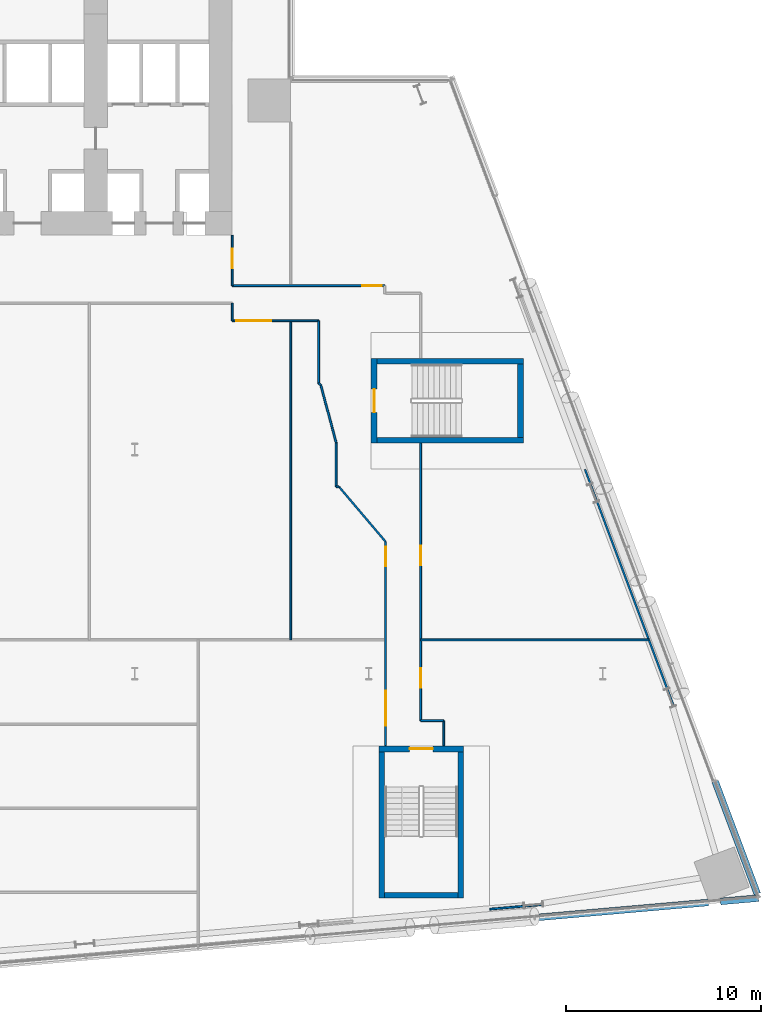
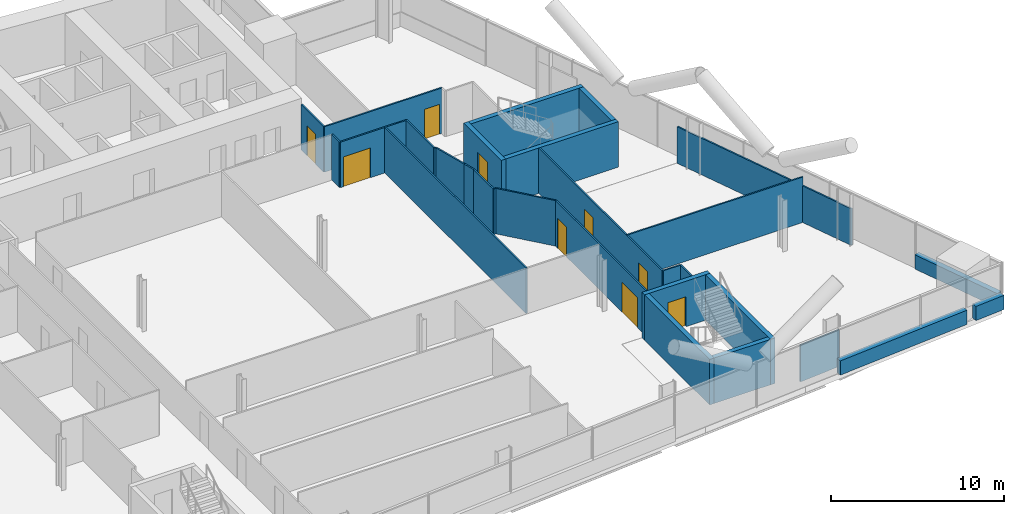
# One storey, part 18 of 27: 30 walls, 9 doors, 9 openings.
"""IFC4 building model written with IfcOpenShell, lengths in metres."""

import ifcopenshell
import ifcopenshell.guid

model = None  # the IFC model being written
_history = None  # IfcOwnerHistory: only IFC2X3 demands one
_inside = {}  # id of a spatial element -> (the spatial element, [elements in it])
_under = {}  # id of a project, library or spatial element -> (it, [spatial elements below it])
_declared = {}  # id of a project -> (the project, [libraries it declares])
_typed = {}  # id of a type object -> (the type object, [elements of that type])
_made_of = {}  # id of a material, layer set ... -> (it, [elements and type objects made of it])


def new_model(schema):
    """Start an empty IFC model of exactly this schema.

    Asked for "IFC4X3", IfcOpenShell would pick the latest addendum, in which some entities
    have other attributes; the version numbers below select the first issue.
    IFC2X3 requires an IfcOwnerHistory on every rooted entity: one is made here for all.
    """
    global model, _history
    if schema == "IFC4X3":
        model = ifcopenshell.file(schema_version=(4, 3, 0, 0))
    else:
        model = ifcopenshell.file(schema=schema)
    _inside.clear()
    _under.clear()
    _declared.clear()
    _typed.clear()
    _made_of.clear()
    _history = None
    if model.schema == "IFC2X3":
        org = make("IfcOrganization", Name="unknown")
        user = make(
            "IfcPersonAndOrganization",
            ThePerson=make("IfcPerson", FamilyName="unknown"),
            TheOrganization=org,
        )
        app = make(
            "IfcApplication",
            ApplicationDeveloper=org,
            Version="unknown",
            ApplicationFullName="unknown",
            ApplicationIdentifier="unknown",
        )
        _history = make(
            "IfcOwnerHistory",
            OwningUser=user,
            OwningApplication=app,
            ChangeAction="ADDED",
            CreationDate=0,
        )
    return model


def make(cls, **values):
    """One entity of the class cls with the attributes given. An attribute that is None is left unset."""
    return model.create_entity(
        cls, **{name: value for name, value in values.items() if value is not None}
    )


def rooted(cls, **values):
    """An entity with a GlobalId (a new one), such as an element, a storey or a relation."""
    return make(cls, GlobalId=ifcopenshell.guid.new(), OwnerHistory=_history, **values)


def si_unit(unit_type, name, prefix=None):
    """IfcSIUnit, for example si_unit("LENGTHUNIT", "METRE", prefix="MILLI")."""
    return make("IfcSIUnit", UnitType=unit_type, Prefix=prefix, Name=name)


def assignment(units):
    """IfcUnitAssignment: the units of a project."""
    return None if units is None else make("IfcUnitAssignment", Units=units)


def point(xyz):
    """IfcCartesianPoint."""
    return None if xyz is None else make("IfcCartesianPoint", Coordinates=xyz)


def direction(xyz):
    """IfcDirection."""
    return None if xyz is None else make("IfcDirection", DirectionRatios=xyz)


def frame(location, z_axis=None, x_axis=None):
    """IfcAxis2Placement3D, a coordinate frame: its origin and axes. An axis left out is left unset."""
    return make(
        "IfcAxis2Placement3D",
        Location=point(location),
        Axis=direction(z_axis),
        RefDirection=direction(x_axis),
    )


def frame_2d(location, x_axis=None):
    """IfcAxis2Placement2D, a coordinate frame in the plane: its origin and x axis."""
    return make(
        "IfcAxis2Placement2D", Location=point(location), RefDirection=direction(x_axis)
    )


def origin():
    """The frame at (0, 0, 0) with its axes left unset."""
    return frame((0.0, 0.0, 0.0))


def place(relative_to, where):
    """IfcLocalPlacement: puts the frame where relative to a parent placement (None: the world)."""
    return make(
        "IfcLocalPlacement", PlacementRelTo=relative_to, RelativePlacement=where
    )


def context(
    kind, dimensions, precision=None, world=None, true_north=None, identifier=None
):
    """IfcGeometricRepresentationContext, for example the 3D "Model" context."""
    return make(
        "IfcGeometricRepresentationContext",
        ContextIdentifier=identifier,
        ContextType=kind,
        CoordinateSpaceDimension=dimensions,
        Precision=precision,
        WorldCoordinateSystem=world,
        TrueNorth=true_north,
    )


def subcontext(parent, identifier, kind, view, scale=None):
    """IfcGeometricRepresentationSubContext, for example "Body" below "Model"."""
    return make(
        "IfcGeometricRepresentationSubContext",
        ContextIdentifier=identifier,
        ContextType=kind,
        ParentContext=parent,
        TargetScale=scale,
        TargetView=view,
    )


def project(units=None, contexts=None):
    """IfcProject with its units and contexts."""
    return rooted(
        "IfcProject",
        Name="project",
        RepresentationContexts=contexts,
        UnitsInContext=assignment(units),
    )


def spatial(cls, under=None, at=None, **own):
    """A site, building, storey or space (cls), placed at a placement, below another one or the project."""
    s = rooted(cls, ObjectPlacement=at, **own)
    if under is not None:
        _under.setdefault(under.id(), (under, []))[1].append(s)
    return s


def profile(cls, at=None, kind="AREA", **sizes):
    """A parametric profile (cls). Its sizes go by their IFC names, for example OverallWidth=200.0."""
    return make(cls, ProfileType=kind, Position=at, **sizes)


def rectangle(**sizes):
    """IfcRectangleProfileDef."""
    return profile("IfcRectangleProfileDef", **sizes)


def extrude(swept, where, along, depth):
    """IfcExtrudedAreaSolid: the profile swept, set in the frame where, extruded along a direction by depth."""
    return make(
        "IfcExtrudedAreaSolid",
        SweptArea=swept,
        Position=where,
        ExtrudedDirection=direction(along),
        Depth=depth,
    )


def shape(context_of_items, identifier, shape_type, items):
    """IfcShapeRepresentation: the items that make up one representation, for example the "Body"."""
    return make(
        "IfcShapeRepresentation",
        ContextOfItems=context_of_items,
        RepresentationIdentifier=identifier,
        RepresentationType=shape_type,
        Items=items,
    )


def material(Name=None, Category=None):
    """IfcMaterial."""
    return make("IfcMaterial", Name=Name, Category=Category)


def layer(
    of_material, thickness, ventilated=None, Name=None, Category=None, Priority=None
):
    """IfcMaterialLayer: one layer of a wall or slab, of a material (None: an air gap)."""
    return make(
        "IfcMaterialLayer",
        Material=of_material,
        LayerThickness=thickness,
        IsVentilated=ventilated,
        Name=Name,
        Category=Category,
        Priority=Priority,
    )


def layer_set(layers, Name=None):
    """IfcMaterialLayerSet."""
    return make("IfcMaterialLayerSet", MaterialLayers=layers, LayerSetName=Name)


def made_of(thing, what):
    """Note that an element or type object is made of a material, layer set ...; save() writes the relation."""
    if what is not None:
        _made_of.setdefault(what.id(), (what, []))[1].append(thing)
    return thing


def type_object(cls, material=None, **own):
    """A type object (cls), such as IfcWallType, which elements share."""
    return made_of(rooted(cls, **own), material)


def element(
    cls,
    number,
    at=None,
    inside=None,
    cuts=None,
    type_object=None,
    material=None,
    context=None,
    identifier="Body",
    shape_type=None,
    held_by="IfcProductDefinitionShape",
    body=None,
    shapes=None,
    **own,
):
    """One element of the class cls, such as IfcWall. Its Tag is "e" and its number.

    at: its placement. inside: the storey or other place that contains it. cuts: it is an
    opening in that element (IfcRelVoidsElement). A single representation is given by context,
    identifier, shape_type and body (its items); several are given by shapes. held_by: the class
    of the entity that holds the representations. save() writes the other relations.
    """
    e = rooted(cls, Tag="e%d" % number, ObjectPlacement=at, **own)
    if body is not None:
        shapes = [shape(context, identifier, shape_type, body)]
    if shapes is not None:
        e.Representation = make(held_by, Representations=shapes)
    if inside is not None:
        _inside.setdefault(inside.id(), (inside, []))[1].append(e)
    if cuts is not None:
        rooted(
            "IfcRelVoidsElement", RelatingBuildingElement=cuts, RelatedOpeningElement=e
        )
    if type_object is not None:
        _typed.setdefault(type_object.id(), (type_object, []))[1].append(e)
    return made_of(e, material)


def fill(opening, filler):
    """IfcRelFillsElement: the door or window that sits in an opening."""
    return rooted(
        "IfcRelFillsElement",
        RelatingOpeningElement=opening,
        RelatedBuildingElement=filler,
    )


def aggregate(whole, parts):
    """IfcRelAggregates: a whole, such as a stair, and the parts it consists of."""
    return rooted("IfcRelAggregates", RelatingObject=whole, RelatedObjects=parts)


def save(model, path):
    """Write the relations noted so far, then the file.

    IfcRelAggregates (storeys below a building ...), IfcRelContainedInSpatialStructure (elements
    in a storey), IfcRelDefinesByType, IfcRelAssociatesMaterial and IfcRelDeclares: one each for
    every whole, place, type object, material and project.
    """
    for whole, parts in _under.values():
        aggregate(whole, parts)
    for where, things in _inside.values():
        rooted(
            "IfcRelContainedInSpatialStructure",
            RelatedElements=things,
            RelatingStructure=where,
        )
    for kind, things in _typed.values():
        rooted("IfcRelDefinesByType", RelatedObjects=things, RelatingType=kind)
    for what, things in _made_of.values():
        rooted("IfcRelAssociatesMaterial", RelatedObjects=things, RelatingMaterial=what)
    for by, libraries in _declared.values():
        rooted("IfcRelDeclares", RelatingContext=by, RelatedDefinitions=libraries)
    model.write(path)


model = new_model("IFC4")

# Units and contexts
model_context = context("Model", 3, precision=1e-05, world=origin(), true_north=direction((0.0, 1.0)))
body_context = subcontext(model_context, "Body", "Model", "MODEL_VIEW")
ifc_project = project(units=[si_unit("LENGTHUNIT", "METRE"), si_unit("AREAUNIT", "SQUARE_METRE"), si_unit("VOLUMEUNIT", "CUBIC_METRE"), si_unit("PLANEANGLEUNIT", "RADIAN"), si_unit("MASSUNIT", "GRAM", prefix="KILO")], contexts=[model_context])

# Site, building, storey
site_placement = place(None, origin())
site = spatial("IfcSite", under=ifc_project, at=site_placement, CompositionType="ELEMENT")
building_placement = place(site_placement, origin())
building = spatial("IfcBuilding", under=site, at=building_placement, Name="Wharfspan Tower", CompositionType="ELEMENT")
storey_placement = place(building_placement, frame((0.0, 0.0, 77.5)))
storey = spatial("IfcBuildingStorey", under=building, at=storey_placement, Name="L16", CompositionType="ELEMENT", Elevation=77.5)

# Wall
ifc_material_1 = material(Name="Gypsum board on steel studs", Category="steel")
ifc_layer_1 = layer(ifc_material_1, 0.100098)
ifc_layer_set_1 = layer_set([ifc_layer_1], Name="Gypsum board on steel studs")
wall_type_1 = type_object("IfcWallType", Name="Compartment wall 100 EI 60", PredefinedType="PARTITIONING", material=ifc_layer_set_1)
wall_1_placement = place(storey_placement, frame((65.0, 29.600098, 0.0), z_axis=(0.0, 0.0, 1.0), x_axis=(0.0, 1.0, 0.0)))
element("IfcWall", 1, at=wall_1_placement, inside=storey, type_object=wall_type_1, Name="Partition L16.w048", PredefinedType="PARTITIONING", context=body_context, shape_type="SweptSolid", body=[
    extrude(rectangle(XDim=0.899902, YDim=0.100098, at=frame_2d((0.449951, 0.0))), origin(), (0.0, 0.0, 1.0), 3.199951),
])

# Wall, opening, door
wall_2_placement = place(storey_placement, frame((65.0, 29.600098, 0.0), z_axis=(0.0, 0.0, 1.0), x_axis=(1.0, 0.0, 0.0)))
wall_2 = element("IfcWall", 2, at=wall_2_placement, inside=storey, type_object=wall_type_1, Name="Partition L16.w049", PredefinedType="PARTITIONING", context=body_context, shape_type="SweptSolid", body=[
    extrude(rectangle(XDim=4.425049, YDim=0.100098, at=frame_2d((2.212402, 0.0))), origin(), (0.0, 0.0, 1.0), 3.199951),
])
opening_1_placement = place(wall_2_placement, frame((0.199951, 0.0, 0.0)))
opening_1 = element("IfcOpeningElement", 3, at=opening_1_placement, cuts=wall_2, Name="Opening A4-29", PredefinedType="OPENING", context=body_context, shape_type="SweptSolid", body=[
    extrude(rectangle(XDim=1.800049, YDim=2.100098, at=frame_2d((0.899902, 1.050049))), frame((0.0, 0.060059, 0.0), z_axis=(0.0, -1.0, 0.0), x_axis=(1.0, 0.0, 0.0)), (0.0, 0.0, 1.0), 0.120117),
])
ifc_material_2 = material(Name="Fire-rated timber door leaf in steel frame", Category="steel")
door_type_1 = type_object("IfcDoorType", Name="Door 1800 FD30S Double", OperationType="DOUBLE_DOOR_SINGLE_SWING", PredefinedType="DOOR", material=ifc_material_2)
door_1_placement = place(opening_1_placement, origin())
door_1 = element("IfcDoor", 4, at=door_1_placement, inside=storey, type_object=door_type_1, Name="Door A4-29", OperationType="DOUBLE_DOOR_SINGLE_SWING", OverallHeight=2.100098, OverallWidth=1.800049, PredefinedType="DOOR", context=body_context, shape_type="SweptSolid", body=[
    extrude(rectangle(XDim=1.800049, YDim=2.100098, at=frame_2d((0.899902, 1.050049))), frame((0.0, 0.024902, 0.0), z_axis=(0.0, -1.0, 0.0), x_axis=(1.0, 0.0, 0.0)), (0.0, 0.0, 1.0), 0.050049),
])
fill(opening_1, door_1)

wall_3_placement = place(storey_placement, frame((65.0, 31.399902, 0.0), z_axis=(0.0, 0.0, 1.0), x_axis=(0.0, 1.0, 0.0)))
wall_3 = element("IfcWall", 5, at=wall_3_placement, inside=storey, type_object=wall_type_1, Name="Partition L16.w050", PredefinedType="PARTITIONING", context=body_context, shape_type="SweptSolid", body=[
    extrude(rectangle(XDim=2.580078, YDim=0.100098, at=frame_2d((1.290039, 0.0))), origin(), (0.0, 0.0, 1.0), 3.199951),
])
opening_2_placement = place(wall_3_placement, frame((0.899902, 0.0, 0.0)))
opening_2 = element("IfcOpeningElement", 6, at=opening_2_placement, cuts=wall_3, Name="Opening A4-34", PredefinedType="OPENING", context=body_context, shape_type="SweptSolid", body=[
    extrude(rectangle(XDim=1.0, YDim=2.100098, at=frame_2d((0.5, 1.050049))), frame((0.0, 0.060059, 0.0), z_axis=(0.0, -1.0, 0.0), x_axis=(1.0, 0.0, 0.0)), (0.0, 0.0, 1.0), 0.120117),
])
door_type_2 = type_object("IfcDoorType", Name="Door 1000 FD30S Right", OperationType="SINGLE_SWING_RIGHT", PredefinedType="DOOR", material=ifc_material_2)
door_2_placement = place(opening_2_placement, origin())
door_2 = element("IfcDoor", 7, at=door_2_placement, inside=storey, type_object=door_type_2, Name="Door A4-34", OperationType="SINGLE_SWING_RIGHT", OverallHeight=2.100098, OverallWidth=1.0, PredefinedType="DOOR", context=body_context, shape_type="SweptSolid", body=[
    extrude(rectangle(XDim=1.0, YDim=2.100098, at=frame_2d((0.5, 1.050049))), frame((0.0, 0.024902, 0.0), z_axis=(0.0, -1.0, 0.0), x_axis=(1.0, 0.0, 0.0)), (0.0, 0.0, 1.0), 0.050049),
])
fill(opening_2, door_2)

wall_4_placement = place(storey_placement, frame((65.0, 31.399902, 0.0), z_axis=(0.0, 0.0, 1.0), x_axis=(1.0, 0.0, 0.0)))
wall_4 = element("IfcWall", 8, at=wall_4_placement, inside=storey, type_object=wall_type_1, Name="Partition L16.w051", PredefinedType="PARTITIONING", context=body_context, shape_type="SweptSolid", body=[
    extrude(rectangle(XDim=7.810059, YDim=0.100098, at=frame_2d((3.905029, 0.0))), origin(), (0.0, 0.0, 1.0), 3.199951),
])
opening_3_placement = place(wall_4_placement, frame((6.657227, 0.0, 0.0)))
opening_3 = element("IfcOpeningElement", 9, at=opening_3_placement, cuts=wall_4, Name="Opening A4-33", PredefinedType="OPENING", context=body_context, shape_type="SweptSolid", body=[
    extrude(rectangle(XDim=1.0, YDim=2.100098, at=frame_2d((0.5, 1.050049))), frame((0.0, 0.060059, 0.0), z_axis=(0.0, -1.0, 0.0), x_axis=(1.0, 0.0, 0.0)), (0.0, 0.0, 1.0), 0.120117),
])
door_3_placement = place(opening_3_placement, origin())
door_3 = element("IfcDoor", 10, at=door_3_placement, inside=storey, type_object=door_type_2, Name="Door A4-33", OperationType="SINGLE_SWING_RIGHT", OverallHeight=2.100098, OverallWidth=1.0, PredefinedType="DOOR", context=body_context, shape_type="SweptSolid", body=[
    extrude(rectangle(XDim=1.0, YDim=2.100098, at=frame_2d((0.5, 1.050049))), frame((0.0, 0.024902, 0.0), z_axis=(0.0, -1.0, 0.0), x_axis=(1.0, 0.0, 0.0)), (0.0, 0.0, 1.0), 0.050049),
])
fill(opening_3, door_3)

# Walls
wall_5_placement = place(storey_placement, frame((68.0, 13.23999, 0.0), z_axis=(0.0, 0.0, 1.0), x_axis=(0.0, 1.0, 0.0)))
element("IfcWall", 11, at=wall_5_placement, inside=storey, type_object=wall_type_1, Name="Partition L16.w052", PredefinedType="PARTITIONING", context=body_context, shape_type="SweptSolid", body=[
    extrude(rectangle(XDim=16.360107, YDim=0.100098, at=frame_2d((8.180176, 0.0))), origin(), (0.0, 0.0, 1.0), 3.199951),
])
wall_6_placement = place(storey_placement, frame((69.425049, 26.399902, 0.0), z_axis=(0.0, 0.0, 1.0), x_axis=(0.0, 1.0, 0.0)))
element("IfcWall", 12, at=wall_6_placement, inside=storey, type_object=wall_type_1, Name="Partition L16.w055", PredefinedType="PARTITIONING", context=body_context, shape_type="SweptSolid", body=[
    extrude(rectangle(XDim=3.200195, YDim=0.100098, at=frame_2d((1.600098, 0.0))), origin(), (0.0, 0.0, 1.0), 3.199951),
])
wall_7_placement = place(storey_placement, frame((69.540039, 26.310059, 0.0), z_axis=(0.0, 0.0, 1.0), x_axis=(-0.787997, 0.615675, 0.0)))
element("IfcWall", 13, at=wall_7_placement, inside=storey, type_object=wall_type_1, Name="Partition L16.w056", PredefinedType="PARTITIONING", context=body_context, shape_type="SweptSolid", body=[
    extrude(rectangle(XDim=0.145996, YDim=0.100098, at=frame_2d((0.072998, 0.0))), origin(), (0.0, 0.0, 1.0), 3.199951),
])
wall_8_placement = place(storey_placement, frame((70.129883, 24.094971, 0.0), z_axis=(0.0, 0.0, 1.0), x_axis=(-0.257318, 0.966327, 0.0)))
element("IfcWall", 14, at=wall_8_placement, inside=storey, type_object=wall_type_1, Name="Partition L16.w057", PredefinedType="PARTITIONING", context=body_context, shape_type="SweptSolid", body=[
    extrude(rectangle(XDim=2.292236, YDim=0.100098, at=frame_2d((1.145996, 0.0))), origin(), (0.0, 0.0, 1.0), 3.199951),
])
wall_9_placement = place(storey_placement, frame((70.324951, 21.100098, 0.0), z_axis=(0.0, 0.0, 1.0), x_axis=(0.0, 1.0, 0.0)))
element("IfcWall", 15, at=wall_9_placement, inside=storey, type_object=wall_type_1, Name="Partition L16.w058", PredefinedType="PARTITIONING", context=body_context, shape_type="SweptSolid", body=[
    extrude(rectangle(XDim=2.254883, YDim=0.100098, at=frame_2d((1.127441, 0.0))), origin(), (0.0, 0.0, 1.0), 3.199951),
])
wall_10_placement = place(storey_placement, frame((70.324951, 23.35498, 0.0), z_axis=(0.0, 0.0, 1.0), x_axis=(-0.254901, 0.966965, 0.0)))
element("IfcWall", 16, at=wall_10_placement, inside=storey, type_object=wall_type_1, Name="Partition L16.w059", PredefinedType="PARTITIONING", context=body_context, shape_type="SweptSolid", body=[
    extrude(rectangle(XDim=0.765381, YDim=0.100098, at=frame_2d((0.382812, 0.0))), origin(), (0.0, 0.0, 1.0), 3.199951),
])
wall_11_placement = place(storey_placement, frame((70.485107, 21.074951, 0.0), z_axis=(0.0, 0.0, 1.0), x_axis=(-0.987098, 0.160112, 0.0)))
element("IfcWall", 17, at=wall_11_placement, inside=storey, type_object=wall_type_1, Name="Partition L16.w060", PredefinedType="PARTITIONING", context=body_context, shape_type="SweptSolid", body=[
    extrude(rectangle(XDim=0.156982, YDim=0.100098, at=frame_2d((0.078613, 0.0))), origin(), (0.0, 0.0, 1.0), 3.199951),
])

# Wall, openings, doors
wall_12_placement = place(storey_placement, frame((72.860107, 7.812012, 0.0), z_axis=(0.0, 0.0, 1.0), x_axis=(0.0, 1.0, 0.0)))
wall_12 = element("IfcWall", 18, at=wall_12_placement, inside=storey, type_object=wall_type_1, Name="Partition L16.w062", PredefinedType="PARTITIONING", context=body_context, shape_type="SweptSolid", body=[
    extrude(rectangle(XDim=10.462891, YDim=0.100098, at=frame_2d((5.231445, 0.0))), origin(), (0.0, 0.0, 1.0), 3.199951),
])
opening_4_placement = place(wall_12_placement, frame((1.008057, 0.0, 0.0)))
opening_4 = element("IfcOpeningElement", 19, at=opening_4_placement, cuts=wall_12, Name="Opening A4-08", PredefinedType="OPENING", context=body_context, shape_type="SweptSolid", body=[
    extrude(rectangle(XDim=1.800049, YDim=2.100098, at=frame_2d((0.899902, 1.050049))), frame((0.0, 0.060059, 0.0), z_axis=(0.0, -1.0, 0.0), x_axis=(1.0, 0.0, 0.0)), (0.0, 0.0, 1.0), 0.120117),
])
opening_5_placement = place(wall_12_placement, frame((9.196533, 0.0, 0.0)))
opening_5 = element("IfcOpeningElement", 20, at=opening_5_placement, cuts=wall_12, Name="Opening A4-16", PredefinedType="OPENING", context=body_context, shape_type="SweptSolid", body=[
    extrude(rectangle(XDim=1.0, YDim=2.100098, at=frame_2d((0.5, 1.050049))), frame((0.0, 0.060059, 0.0), z_axis=(0.0, -1.0, 0.0), x_axis=(1.0, 0.0, 0.0)), (0.0, 0.0, 1.0), 0.120117),
])
door_4_placement = place(opening_5_placement, origin())
door_4 = element("IfcDoor", 21, at=door_4_placement, inside=storey, type_object=door_type_2, Name="Door A4-16", OperationType="SINGLE_SWING_RIGHT", OverallHeight=2.100098, OverallWidth=1.0, PredefinedType="DOOR", context=body_context, shape_type="SweptSolid", body=[
    extrude(rectangle(XDim=1.0, YDim=2.100098, at=frame_2d((0.5, 1.050049))), frame((0.0, 0.024902, 0.0), z_axis=(0.0, -1.0, 0.0), x_axis=(1.0, 0.0, 0.0)), (0.0, 0.0, 1.0), 0.050049),
])
fill(opening_5, door_4)
door_5_placement = place(opening_4_placement, origin())
door_5 = element("IfcDoor", 22, at=door_5_placement, inside=storey, type_object=door_type_1, Name="Door A4-08", OperationType="DOUBLE_DOOR_SINGLE_SWING", OverallHeight=2.100098, OverallWidth=1.800049, PredefinedType="DOOR", context=body_context, shape_type="SweptSolid", body=[
    extrude(rectangle(XDim=1.800049, YDim=2.100098, at=frame_2d((0.899902, 1.050049))), frame((0.0, 0.024902, 0.0), z_axis=(0.0, -1.0, 0.0), x_axis=(1.0, 0.0, 0.0)), (0.0, 0.0, 1.0), 0.050049),
])
fill(opening_4, door_5)

# Wall
wall_13_placement = place(storey_placement, frame((72.860107, 18.274902, 0.0), z_axis=(0.0, 0.0, 1.0), x_axis=(-0.646848, 0.762613, 0.0)))
element("IfcWall", 23, at=wall_13_placement, inside=storey, type_object=wall_type_1, Name="Partition L16.w064", PredefinedType="PARTITIONING", context=body_context, shape_type="SweptSolid", body=[
    extrude(rectangle(XDim=3.671631, YDim=0.100098, at=frame_2d((1.835938, 0.0))), origin(), (0.0, 0.0, 1.0), 3.199951),
])

# Wall, openings, doors
wall_14_placement = place(storey_placement, frame((74.659912, 9.094971, 0.0), z_axis=(0.0, 0.0, 1.0), x_axis=(0.0, 1.0, 0.0)))
wall_14 = element("IfcWall", 24, at=wall_14_placement, inside=storey, type_object=wall_type_1, Name="Partition L16.w065", PredefinedType="PARTITIONING", context=body_context, shape_type="SweptSolid", body=[
    extrude(rectangle(XDim=14.22998, YDim=0.100098, at=frame_2d((7.11499, 0.0))), origin(), (0.0, 0.0, 1.0), 3.199951),
])
opening_6_placement = place(wall_14_placement, frame((1.695068, 0.0, 0.0)))
opening_6 = element("IfcOpeningElement", 25, at=opening_6_placement, cuts=wall_14, Name="Opening A4-12", PredefinedType="OPENING", context=body_context, shape_type="SweptSolid", body=[
    extrude(rectangle(XDim=1.0, YDim=2.100098, at=frame_2d((0.5, 1.050049))), frame((0.0, 0.060059, 0.0), z_axis=(0.0, -1.0, 0.0), x_axis=(1.0, 0.0, 0.0)), (0.0, 0.0, 1.0), 0.120117),
])
opening_7_placement = place(wall_14_placement, frame((7.965088, 0.0, 0.0)))
opening_7 = element("IfcOpeningElement", 26, at=opening_7_placement, cuts=wall_14, Name="Opening A4-17", PredefinedType="OPENING", context=body_context, shape_type="SweptSolid", body=[
    extrude(rectangle(XDim=1.0, YDim=2.100098, at=frame_2d((0.5, 1.050049))), frame((0.0, 0.060059, 0.0), z_axis=(0.0, -1.0, 0.0), x_axis=(1.0, 0.0, 0.0)), (0.0, 0.0, 1.0), 0.120117),
])
door_type_3 = type_object("IfcDoorType", Name="Door 1000 FD30S Left", OperationType="SINGLE_SWING_LEFT", PredefinedType="DOOR", material=ifc_material_2)
door_6_placement = place(opening_6_placement, origin())
door_6 = element("IfcDoor", 27, at=door_6_placement, inside=storey, type_object=door_type_3, Name="Door A4-12", OperationType="SINGLE_SWING_LEFT", OverallHeight=2.100098, OverallWidth=1.0, PredefinedType="DOOR", context=body_context, shape_type="SweptSolid", body=[
    extrude(rectangle(XDim=1.0, YDim=2.100098, at=frame_2d((0.5, 1.050049))), frame((0.0, 0.024902, 0.0), z_axis=(0.0, -1.0, 0.0), x_axis=(1.0, 0.0, 0.0)), (0.0, 0.0, 1.0), 0.050049),
])
fill(opening_6, door_6)
door_7_placement = place(opening_7_placement, origin())
door_7 = element("IfcDoor", 28, at=door_7_placement, inside=storey, type_object=door_type_2, Name="Door A4-17", OperationType="SINGLE_SWING_RIGHT", OverallHeight=2.100098, OverallWidth=1.0, PredefinedType="DOOR", context=body_context, shape_type="SweptSolid", body=[
    extrude(rectangle(XDim=1.0, YDim=2.100098, at=frame_2d((0.5, 1.050049))), frame((0.0, 0.024902, 0.0), z_axis=(0.0, -1.0, 0.0), x_axis=(1.0, 0.0, 0.0)), (0.0, 0.0, 1.0), 0.050049),
])
fill(opening_7, door_7)

# Walls
wall_15_placement = place(storey_placement, frame((74.665039, 9.094971, 0.0), z_axis=(0.0, 0.0, 1.0), x_axis=(1.0, 0.0, 0.0)))
element("IfcWall", 29, at=wall_15_placement, inside=storey, type_object=wall_type_1, Name="Partition L16.w067", PredefinedType="PARTITIONING", context=body_context, shape_type="SweptSolid", body=[
    extrude(rectangle(XDim=1.175049, YDim=0.100098, at=frame_2d((0.587402, 0.0))), origin(), (0.0, 0.0, 1.0), 3.199951),
])
wall_16_placement = place(storey_placement, frame((74.665039, 13.23999, 0.0), z_axis=(0.0, 0.0, 1.0), x_axis=(1.0, 0.0, 0.0)))
element("IfcWall", 30, at=wall_16_placement, inside=storey, type_object=wall_type_1, Name="Partition L16.w068", PredefinedType="PARTITIONING", context=body_context, shape_type="SweptSolid", body=[
    extrude(rectangle(XDim=11.699951, YDim=0.100098, at=frame_2d((5.850098, 0.0))), origin(), (0.0, 0.0, 1.0), 3.199951),
])
wall_17_placement = place(storey_placement, frame((75.844971, 7.812012, 0.0), z_axis=(0.0, 0.0, 1.0), x_axis=(0.0, 1.0, 0.0)))
element("IfcWall", 31, at=wall_17_placement, inside=storey, type_object=wall_type_1, Name="Partition L16.w069", PredefinedType="PARTITIONING", context=body_context, shape_type="SweptSolid", body=[
    extrude(rectangle(XDim=1.278076, YDim=0.100098, at=frame_2d((0.63916, 0.0))), origin(), (0.0, 0.0, 1.0), 3.199951),
])
ifc_layer_2 = layer(ifc_material_1, 0.100098)
ifc_layer_set_2 = layer_set([ifc_layer_2], Name="Gypsum board on steel studs")
wall_type_2 = type_object("IfcWallType", Name="Partition 100", PredefinedType="PARTITIONING", material=ifc_layer_set_2)
wall_18_placement = place(storey_placement, frame((78.212402, -0.572998, 0.0), z_axis=(0.0, 0.0, 1.0), x_axis=(0.996224, 0.086779, 0.0)))
element("IfcWall", 32, at=wall_18_placement, inside=storey, type_object=wall_type_2, Name="Partition L16.w070", PredefinedType="PARTITIONING", context=body_context, shape_type="SweptSolid", body=[
    extrude(rectangle(XDim=2.74292, YDim=0.100098, at=frame_2d((1.371582, 0.0))), origin(), (0.0, 0.0, 1.0), 2.580078),
])
wall_19_placement = place(storey_placement, frame((87.649902, 9.810059, 0.0), z_axis=(0.0, 0.0, 1.0), x_axis=(-0.35104, 0.936357, 0.0)))
element("IfcWall", 33, at=wall_19_placement, inside=storey, type_object=wall_type_2, Name="Partition L16.w073", PredefinedType="PARTITIONING", context=body_context, shape_type="SweptSolid", body=[
    extrude(rectangle(XDim=12.99707, YDim=0.100098, at=frame_2d((6.498535, 0.0))), origin(), (0.0, 0.0, 1.0), 2.580078),
])
ifc_material_3 = material(Name="Concrete C40/50", Category="concrete")
ifc_layer_3 = layer(ifc_material_3, 0.350098)
ifc_layer_set_3 = layer_set([ifc_layer_3], Name="Concrete C40/50")
wall_type_3 = type_object("IfcWallType", Name="SPANDREL EXPOSED CONCRETE 350", PredefinedType="SOLIDWALL", material=ifc_layer_set_3)
wall_20_placement = place(storey_placement, frame((80.530273, -1.008545, 0.0), z_axis=(0.0, 0.0, 1.0), x_axis=(0.996198, 0.087169, 0.0)))
element("IfcWall", 34, at=wall_20_placement, inside=storey, type_object=wall_type_3, Name="Spandrel upstand L16 S2 2", PredefinedType="SOLIDWALL", context=body_context, shape_type="SweptSolid", body=[
    extrude(rectangle(XDim=8.912109, YDim=0.350098, at=frame_2d((4.456055, 0.0))), origin(), (0.0, 0.0, 1.0), 1.0),
])
wall_21_placement = place(storey_placement, frame((90.039062, -0.176514, 0.0), z_axis=(0.0, 0.0, 1.0), x_axis=(0.996193, 0.08717, 0.0)))
element("IfcWall", 35, at=wall_21_placement, inside=storey, type_object=wall_type_3, Name="Spandrel upstand L16 S2 3", PredefinedType="SOLIDWALL", context=body_context, shape_type="SweptSolid", body=[
    extrude(rectangle(XDim=1.968994, YDim=0.350098, at=frame_2d((0.984375, 0.0))), origin(), (0.0, 0.0, 1.0), 1.0),
])
wall_22_placement = place(storey_placement, frame((91.926025, 0.211182, 0.0), z_axis=(0.0, 0.0, 1.0), x_axis=(-0.351118, 0.936328, 0.0)))
element("IfcWall", 36, at=wall_22_placement, inside=storey, type_object=wall_type_3, Name="Spandrel upstand L16 E 1", PredefinedType="SOLIDWALL", context=body_context, shape_type="SweptSolid", body=[
    extrude(rectangle(XDim=6.154297, YDim=0.350098, at=frame_2d((3.077148, 0.0))), origin(), (0.0, 0.0, 1.0), 1.0),
])

# Wall, opening, door
ifc_layer_4 = layer(ifc_material_3, 0.300049)
ifc_layer_set_4 = layer_set([ifc_layer_4], Name="Concrete C40/50")
wall_type_4 = type_object("IfcWallType", Name="Stair core wall 300", PredefinedType="SHEAR", material=ifc_layer_set_4)
wall_23_placement = place(storey_placement, frame((72.517578, 7.64209, 0.0), z_axis=(0.0, 0.0, 1.0), x_axis=(1.0, 0.0, 0.0)))
wall_23 = element("IfcWall", 37, at=wall_23_placement, inside=storey, type_object=wall_type_4, Name="ST5 stair enclosure wall L16", PredefinedType="SHEAR", context=body_context, shape_type="SweptSolid", body=[
    extrude(rectangle(XDim=4.349854, YDim=0.300049, at=frame_2d((2.174805, 0.0))), origin(), (0.0, 0.0, 1.0), 3.199951),
])
opening_8_placement = place(wall_23_placement, frame((1.574951, 0.0, 0.0)))
opening_8 = element("IfcOpeningElement", 38, at=opening_8_placement, cuts=wall_23, Name="Opening SD5.L16", PredefinedType="OPENING", context=body_context, shape_type="SweptSolid", body=[
    extrude(rectangle(XDim=1.199951, YDim=2.100098, at=frame_2d((0.600098, 1.050049))), frame((0.0, 0.159912, 0.0), z_axis=(0.0, -1.0, 0.0), x_axis=(1.0, 0.0, 0.0)), (0.0, 0.0, 1.0), 0.320068),
])
ifc_material_4 = material(Name="Steel door leaf", Category="steel")
door_type_4 = type_object("IfcDoorType", Name="Stair door 1200x2100", OperationType="SINGLE_SWING_LEFT", PredefinedType="DOOR", material=ifc_material_4)
door_8_placement = place(opening_8_placement, origin())
door_8 = element("IfcDoor", 39, at=door_8_placement, inside=storey, type_object=door_type_4, Name="sd:L16:ST5z1", OperationType="SINGLE_SWING_RIGHT", OverallHeight=2.100098, OverallWidth=1.199951, PredefinedType="DOOR", context=body_context, shape_type="SweptSolid", body=[
    extrude(rectangle(XDim=1.199951, YDim=2.100098, at=frame_2d((0.600098, 1.050049))), frame((0.0, 0.024902, 0.0), z_axis=(0.0, -1.0, 0.0), x_axis=(1.0, 0.0, 0.0)), (0.0, 0.0, 1.0), 0.050049),
])
fill(opening_8, door_8)

wall_24_placement = place(storey_placement, frame((72.274902, 23.324951, 0.0), z_axis=(0.0, 0.0, 1.0), x_axis=(0.0, 1.0, 0.0)))
wall_24 = element("IfcWall", 40, at=wall_24_placement, inside=storey, type_object=wall_type_4, Name="ST6 stair enclosure wall L16", PredefinedType="SHEAR", context=body_context, shape_type="SweptSolid", body=[
    extrude(rectangle(XDim=4.350098, YDim=0.300049, at=frame_2d((2.175049, 0.0))), origin(), (0.0, 0.0, 1.0), 3.199951),
])
opening_9_placement = place(wall_24_placement, frame((1.574951, 0.0, 0.0)))
opening_9 = element("IfcOpeningElement", 41, at=opening_9_placement, cuts=wall_24, Name="Opening SD6.L16", PredefinedType="OPENING", context=body_context, shape_type="SweptSolid", body=[
    extrude(rectangle(XDim=1.199951, YDim=2.100098, at=frame_2d((0.600098, 1.050049))), frame((0.0, 0.159912, 0.0), z_axis=(0.0, -1.0, 0.0), x_axis=(1.0, 0.0, 0.0)), (0.0, 0.0, 1.0), 0.320068),
])
door_9_placement = place(opening_9_placement, origin())
door_9 = element("IfcDoor", 42, at=door_9_placement, inside=storey, type_object=door_type_4, Name="sd:L16:ST6z1", OperationType="SINGLE_SWING_RIGHT", OverallHeight=2.100098, OverallWidth=1.199951, PredefinedType="DOOR", context=body_context, shape_type="SweptSolid", body=[
    extrude(rectangle(XDim=1.199951, YDim=2.100098, at=frame_2d((0.600098, 1.050049))), frame((0.0, 0.024902, 0.0), z_axis=(0.0, -1.0, 0.0), x_axis=(1.0, 0.0, 0.0)), (0.0, 0.0, 1.0), 0.050049),
])
fill(opening_9, door_9)

# Walls
for number, where, z_axis, x_axis, name in (
    (43, (72.66748, -0.008057, 0.0), (0.0, 0.0, 1.0), (0.0, 1.0, 0.0), "ST5 stair enclosure wall L16"),
    (44, (76.717529, -0.008057, 0.0), (0.0, 0.0, 1.0), (0.0, 1.0, 0.0), "ST5 stair enclosure wall L16"),
):
    element("IfcWall", number, at=place(storey_placement, frame(where, z_axis=z_axis, x_axis=x_axis)), inside=storey, type_object=wall_type_4, Name=name, PredefinedType="SHEAR", context=body_context, shape_type="SweptSolid", body=[
        extrude(rectangle(XDim=7.5, YDim=0.300049, at=frame_2d((3.75, 0.0))), origin(), (0.0, 0.0, 1.0), 3.199951),
    ])
wall_25_placement = place(storey_placement, frame((72.817383, 0.14209, 0.0), z_axis=(0.0, 0.0, 1.0), x_axis=(1.0, 0.0, 0.0)))
element("IfcWall", 45, at=wall_25_placement, inside=storey, type_object=wall_type_4, Name="ST5 stair enclosure wall L16", PredefinedType="SHEAR", context=body_context, shape_type="SweptSolid", body=[
    extrude(rectangle(XDim=3.75, YDim=0.300049, at=frame_2d((1.875, 0.0))), origin(), (0.0, 0.0, 1.0), 3.199951),
])
for number, where, z_axis, x_axis, name in (
    (46, (72.425049, 23.475098, 0.0), (0.0, 0.0, 1.0), (1.0, 0.0, 0.0), "ST6 stair enclosure wall L16"),
    (47, (72.425049, 27.524902, 0.0), (0.0, 0.0, 1.0), (1.0, 0.0, 0.0), "ST6 stair enclosure wall L16"),
):
    element("IfcWall", number, at=place(storey_placement, frame(where, z_axis=z_axis, x_axis=x_axis)), inside=storey, type_object=wall_type_4, Name=name, PredefinedType="SHEAR", context=body_context, shape_type="SweptSolid", body=[
        extrude(rectangle(XDim=7.5, YDim=0.300049, at=frame_2d((3.75, 0.0))), origin(), (0.0, 0.0, 1.0), 3.199951),
    ])
wall_26_placement = place(storey_placement, frame((79.774902, 23.625, 0.0), z_axis=(0.0, 0.0, 1.0), x_axis=(0.0, 1.0, 0.0)))
element("IfcWall", 48, at=wall_26_placement, inside=storey, type_object=wall_type_4, Name="ST6 stair enclosure wall L16", PredefinedType="SHEAR", context=body_context, shape_type="SweptSolid", body=[
    extrude(rectangle(XDim=3.75, YDim=0.300049, at=frame_2d((1.875, 0.0))), origin(), (0.0, 0.0, 1.0), 3.199951),
])

save(model, "model.ifc")
